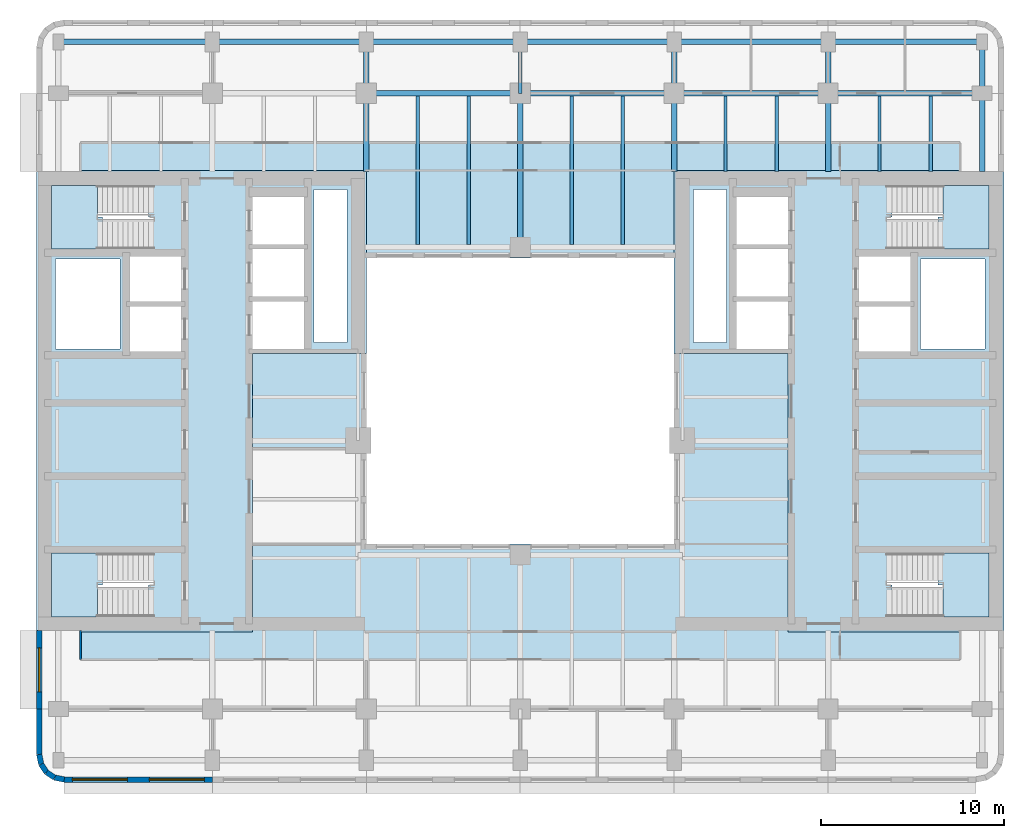
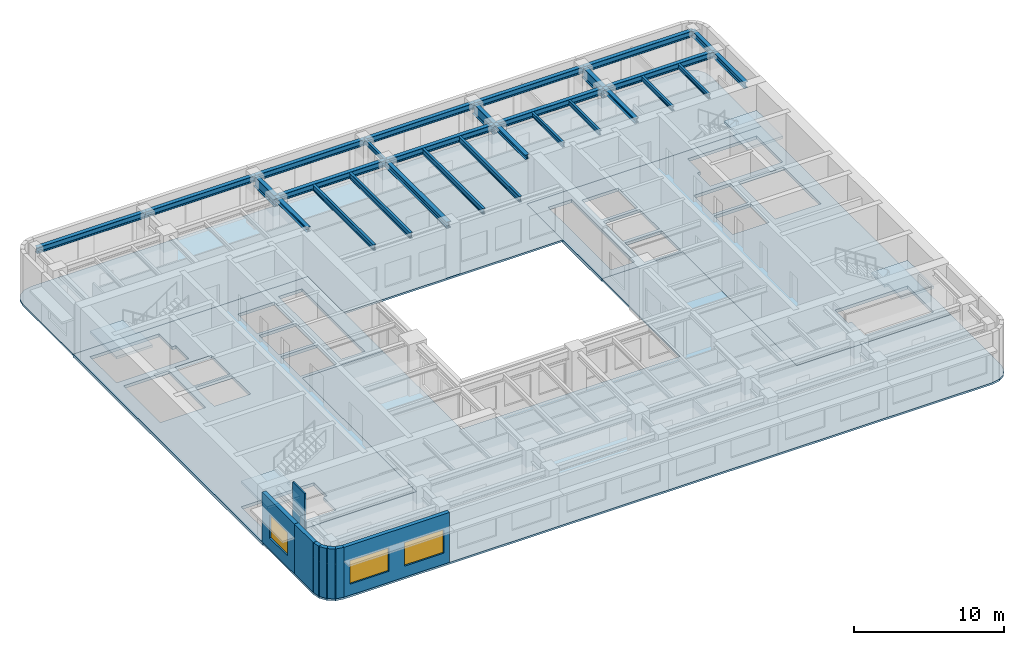
# One storey, part 2 of 11: 28 beams, 8 slabs, 8 walls, 3 windows, 3 openings, 4 elements without a shape of their own.
"""IFC4 building model written with IfcOpenShell, lengths in metres."""

from ifc_helpers import new_model, si_unit, direction, frame, frame_2d, origin, origin_2d, place, context, subcontext, project, spatial, polyline, rectangle, i_section, outline, extrude, material, layer, layer_set, material_profile, profile_set, type_object, element, fill, aggregate, save


model = new_model("IFC4")

# Units and contexts
model_context = context("Model", 3, precision=1e-05, world=origin(), true_north=direction((0.0, 1.0)))
body_context = subcontext(model_context, "Body", "Model", "MODEL_VIEW")
ifc_project = project(units=[si_unit("LENGTHUNIT", "METRE"), si_unit("AREAUNIT", "SQUARE_METRE"), si_unit("VOLUMEUNIT", "CUBIC_METRE"), si_unit("PLANEANGLEUNIT", "RADIAN"), si_unit("MASSUNIT", "GRAM", prefix="KILO")], contexts=[model_context])

# Site, building, storey
site_placement = place(None, origin())
site = spatial("IfcSite", under=ifc_project, at=site_placement, CompositionType="ELEMENT")
building_placement = place(site_placement, origin())
building = spatial("IfcBuilding", under=site, at=building_placement, Name="Claustro Exchange Tower", CompositionType="ELEMENT")
storey_placement = place(building_placement, frame((0.0, 0.0, 236.39990234375)))
storey = spatial("IfcBuildingStorey", under=building, at=storey_placement, Name="L54", CompositionType="ELEMENT", Elevation=236.39990234375)

# Beams
ifc_material_1 = material(Name="Steel S355", Category="steel")
ifc_material_profile_1 = material_profile(ifc_material_1, i_section(OverallWidth=0.169921875, OverallDepth=0.360107421875, WebThickness=0.008056640625, FlangeThickness=0.0126953125, FilletRadius=0.01806640625, at=origin_2d()), Name="IPE 360")
ifc_profile_set_1 = profile_set([ifc_material_profile_1], Name="Steel S355")
beam_type_1 = type_object("IfcBeamType", Name="B16 IPE 360 short-span beam", PredefinedType="BEAM", material=ifc_profile_set_1)
beam_1_placement = place(storey_placement, frame((25.199951171875, 42.0, 3.8701171875), z_axis=(0.0, 1.0, 0.0), x_axis=(-1.0, 0.0, 0.0)))
element("IfcBeam", 1, at=beam_1_placement, inside=storey, type_object=beam_type_1, Name="Beam B16 L55", PredefinedType="BEAM", context=body_context, shape_type="SweptSolid", body=[
    extrude(i_section(OverallWidth=0.169921875, OverallDepth=0.360107421875, WebThickness=0.008056640625, FlangeThickness=0.0126953125, FilletRadius=0.01806640625, at=origin_2d()), origin(), (0.0, 0.0, 1.0), 2.800048828125),
])
for number, where, z_axis, x_axis, name in (
    (2, (36.39990234375, 37.72509765625, 3.8701171875), (0.0, 1.0, 0.0), (-1.0, 0.0, 0.0), "Beam B16 L55"),
    (3, (39.199951171875, 37.72509765625, 3.8701171875), (0.0, 1.0, 0.0), (-1.0, 0.0, 0.0), "Beam B16 L55"),
    (4, (44.800048828125, 37.72509765625, 3.8701171875), (0.0, 1.0, 0.0), (-1.0, 0.0, 0.0), "Beam B16 L55"),
    (5, (47.60009765625, 37.72509765625, 3.8701171875), (0.0, 1.0, 0.0), (-1.0, 0.0, 0.0), "Beam B16 L55"),
):
    element("IfcBeam", number, at=place(storey_placement, frame(where, z_axis=z_axis, x_axis=x_axis)), inside=storey, type_object=beam_type_1, Name=name, PredefinedType="BEAM", context=body_context, shape_type="SweptSolid", body=[
        extrude(i_section(OverallWidth=0.169921875, OverallDepth=0.360107421875, WebThickness=0.008056640625, FlangeThickness=0.0126953125, FilletRadius=0.01806640625, at=origin_2d()), origin(), (0.0, 0.0, 1.0), 4.125),
    ])
ifc_material_2 = material(Name="Steel S355", Category="steel")
ifc_material_profile_2 = material_profile(ifc_material_2, i_section(OverallWidth=0.300048828125, OverallDepth=0.360107421875, WebThickness=0.012451171875, FlangeThickness=0.0224609375, FilletRadius=0.027099609375, at=origin_2d()), Name="HE 360 B")
ifc_profile_set_2 = profile_set([ifc_material_profile_2], Name="Steel S355")
beam_type_2 = type_object("IfcBeamType", Name="B29 HE 360 B column to core link beam", PredefinedType="BEAM", material=ifc_profile_set_2)
for number, where, z_axis, x_axis, name in (
    (6, (16.800048828125, 37.72509765625, 3.8701171875), (0.0, 1.0, 0.0), (-1.0, 0.0, 0.0), "Beam B29 L55"),
    (7, (33.60009765625, 37.72509765625, 3.8701171875), (0.0, 1.0, 0.0), (-1.0, 0.0, 0.0), "Beam B29 L55"),
    (8, (42.0, 37.72509765625, 3.8701171875), (0.0, 1.0, 0.0), (-1.0, 0.0, 0.0), "Beam B29 L55"),
):
    element("IfcBeam", number, at=place(storey_placement, frame(where, z_axis=z_axis, x_axis=x_axis)), inside=storey, type_object=beam_type_2, Name=name, PredefinedType="BEAM", context=body_context, shape_type="SweptSolid", body=[
        extrude(i_section(OverallWidth=0.300048828125, OverallDepth=0.360107421875, WebThickness=0.012451171875, FlangeThickness=0.0224609375, FilletRadius=0.027099609375, at=origin_2d()), origin(), (0.0, 0.0, 1.0), 4.27490234375),
    ])
ifc_material_3 = material(Name="Steel S355", Category="steel")
ifc_material_profile_3 = material_profile(ifc_material_3, i_section(OverallWidth=0.300048828125, OverallDepth=0.5, WebThickness=0.014404296875, FlangeThickness=0.028076171875, FilletRadius=0.027099609375, at=origin_2d()), Name="HE 500 B")
ifc_profile_set_3 = profile_set([ifc_material_profile_3], Name="Steel S355")
beam_type_3 = type_object("IfcBeamType", Name="B7 HE 500 B floor girder", PredefinedType="BEAM", material=ifc_profile_set_3)
for number, where, z_axis, x_axis, name in (
    (9, (25.199951171875, 33.60009765625, 3.800048828125), (0.0, 1.0, 0.0), (-1.0, 0.0, 0.0), "Beam B7 L55"),
    (10, (16.800048828125, 42.0, 3.800048828125), (1.0, 0.0, 0.0), (0.0, 1.0, 0.0), "Beam B7 L55"),
):
    element("IfcBeam", number, at=place(storey_placement, frame(where, z_axis=z_axis, x_axis=x_axis)), inside=storey, type_object=beam_type_3, Name=name, PredefinedType="BEAM", context=body_context, shape_type="SweptSolid", body=[
        extrude(i_section(OverallWidth=0.300048828125, OverallDepth=0.5, WebThickness=0.014404296875, FlangeThickness=0.028076171875, FilletRadius=0.027099609375, at=origin_2d()), origin(), (0.0, 0.0, 1.0), 8.39990234375),
    ])
beam_2_placement = place(storey_placement, frame((25.199951171875, 42.0, 3.800048828125), z_axis=(1.0, 0.0, 0.0), x_axis=(0.0, 1.0, 0.0)))
element("IfcBeam", 11, at=beam_2_placement, inside=storey, type_object=beam_type_3, Name="Beam B7 L55", PredefinedType="BEAM", context=body_context, shape_type="SweptSolid", body=[
    extrude(i_section(OverallWidth=0.300048828125, OverallDepth=0.5, WebThickness=0.014404296875, FlangeThickness=0.028076171875, FilletRadius=0.027099609375, at=origin_2d()), origin(), (0.0, 0.0, 1.0), 8.400146484375),
])
for number, where, z_axis, x_axis, name in (
    (12, (33.60009765625, 42.0, 3.800048828125), (1.0, 0.0, 0.0), (0.0, 1.0, 0.0), "Beam B7 L55"),
    (13, (42.0, 42.0, 3.800048828125), (1.0, 0.0, 0.0), (0.0, 1.0, 0.0), "Beam B7 L55"),
):
    element("IfcBeam", number, at=place(storey_placement, frame(where, z_axis=z_axis, x_axis=x_axis)), inside=storey, type_object=beam_type_3, Name=name, PredefinedType="BEAM", context=body_context, shape_type="SweptSolid", body=[
        extrude(i_section(OverallWidth=0.300048828125, OverallDepth=0.5, WebThickness=0.014404296875, FlangeThickness=0.028076171875, FilletRadius=0.027099609375, at=origin_2d()), origin(), (0.0, 0.0, 1.0), 8.39990234375),
    ])
ifc_material_4 = material(Name="Steel S355", Category="steel")
ifc_material_profile_4 = material_profile(ifc_material_4, i_section(OverallWidth=0.18994140625, OverallDepth=0.449951171875, WebThickness=0.009521484375, FlangeThickness=0.0146484375, FilletRadius=0.02099609375, at=origin_2d()), Name="IPE 450")
ifc_profile_set_4 = profile_set([ifc_material_profile_4], Name="Steel S355")
beam_type_4 = type_object("IfcBeamType", Name="B8 IPE 450 secondary beam", PredefinedType="BEAM", material=ifc_profile_set_4)
for number, where, z_axis, x_axis, name in (
    (14, (19.60009765625, 33.75, 3.8251953125), (0.0, 1.0, 0.0), (-1.0, 0.0, 0.0), "Beam B8 L55"),
    (15, (22.39990234375, 33.75, 3.8251953125), (0.0, 1.0, 0.0), (-1.0, 0.0, 0.0), "Beam B8 L55"),
    (16, (28.0, 33.75, 3.8251953125), (0.0, 1.0, 0.0), (-1.0, 0.0, 0.0), "Beam B8 L55"),
    (17, (30.800048828125, 33.75, 3.8251953125), (0.0, 1.0, 0.0), (-1.0, 0.0, 0.0), "Beam B8 L55"),
):
    element("IfcBeam", number, at=place(storey_placement, frame(where, z_axis=z_axis, x_axis=x_axis)), inside=storey, type_object=beam_type_4, Name=name, PredefinedType="BEAM", context=body_context, shape_type="SweptSolid", body=[
        extrude(i_section(OverallWidth=0.18994140625, OverallDepth=0.449951171875, WebThickness=0.009521484375, FlangeThickness=0.0146484375, FilletRadius=0.02099609375, at=origin_2d()), origin(), (0.0, 0.0, 1.0), 8.10009765625),
    ])
ifc_material_5 = material(Name="Steel S355", Category="steel")
ifc_material_profile_5 = material_profile(ifc_material_5, i_section(OverallWidth=0.300048828125, OverallDepth=0.489990234375, WebThickness=0.011962890625, FlangeThickness=0.02294921875, FilletRadius=0.027099609375, at=origin_2d()), Name="HE 500 A")
ifc_profile_set_5 = profile_set([ifc_material_profile_5], Name="Steel S355")
beam_type_5 = type_object("IfcBeamType", Name="B9 HE 500 A spandrel edge girder", PredefinedType="SPANDREL", material=ifc_profile_set_5)
beam_3_placement = place(storey_placement, frame((50.39990234375, 37.72509765625, 3.80517578125), z_axis=(0.0, 1.0, 0.0), x_axis=(-1.0, 0.0, 0.0)))
element("IfcBeam", 18, at=beam_3_placement, inside=storey, type_object=beam_type_5, Name="Beam B9 L55", PredefinedType="SPANDREL", context=body_context, shape_type="SweptSolid", body=[
    extrude(i_section(OverallWidth=0.300048828125, OverallDepth=0.489990234375, WebThickness=0.011962890625, FlangeThickness=0.02294921875, FilletRadius=0.027099609375, at=origin_2d()), origin(), (0.0, 0.0, 1.0), 4.27490234375),
])
beam_4_placement = place(storey_placement, frame((50.39990234375, 42.0, 3.80517578125), z_axis=(0.0, 1.0, 0.0), x_axis=(-1.0, 0.0, 0.0)))
element("IfcBeam", 19, at=beam_4_placement, inside=storey, type_object=beam_type_5, Name="Beam B9 L55", PredefinedType="SPANDREL", context=body_context, shape_type="SweptSolid", body=[
    extrude(i_section(OverallWidth=0.300048828125, OverallDepth=0.489990234375, WebThickness=0.011962890625, FlangeThickness=0.02294921875, FilletRadius=0.027099609375, at=origin_2d()), origin(), (0.0, 0.0, 1.0), 2.800048828125),
])
beam_5_placement = place(storey_placement, frame((0.0, 44.800048828125, 3.80517578125), z_axis=(1.0, 0.0, 0.0), x_axis=(0.0, 1.0, 0.0)))
element("IfcBeam", 20, at=beam_5_placement, inside=storey, type_object=beam_type_5, Name="Beam B9 L55", PredefinedType="SPANDREL", context=body_context, shape_type="SweptSolid", body=[
    extrude(i_section(OverallWidth=0.300048828125, OverallDepth=0.489990234375, WebThickness=0.011962890625, FlangeThickness=0.02294921875, FilletRadius=0.027099609375, at=origin_2d()), origin(), (0.0, 0.0, 1.0), 8.39990234375),
])
beam_6_placement = place(storey_placement, frame((8.39990234375, 44.800048828125, 3.80517578125), z_axis=(1.0, 0.0, 0.0), x_axis=(0.0, 1.0, 0.0)))
element("IfcBeam", 21, at=beam_6_placement, inside=storey, type_object=beam_type_5, Name="Beam B9 L55", PredefinedType="SPANDREL", context=body_context, shape_type="SweptSolid", body=[
    extrude(i_section(OverallWidth=0.300048828125, OverallDepth=0.489990234375, WebThickness=0.011962890625, FlangeThickness=0.02294921875, FilletRadius=0.027099609375, at=origin_2d()), origin(), (0.0, 0.0, 1.0), 8.400146484375),
])
beam_7_placement = place(storey_placement, frame((16.800048828125, 44.800048828125, 3.80517578125), z_axis=(1.0, 0.0, 0.0), x_axis=(0.0, 1.0, 0.0)))
element("IfcBeam", 22, at=beam_7_placement, inside=storey, type_object=beam_type_5, Name="Beam B9 L55", PredefinedType="SPANDREL", context=body_context, shape_type="SweptSolid", body=[
    extrude(i_section(OverallWidth=0.300048828125, OverallDepth=0.489990234375, WebThickness=0.011962890625, FlangeThickness=0.02294921875, FilletRadius=0.027099609375, at=origin_2d()), origin(), (0.0, 0.0, 1.0), 8.39990234375),
])
beam_8_placement = place(storey_placement, frame((25.199951171875, 44.800048828125, 3.80517578125), z_axis=(1.0, 0.0, 0.0), x_axis=(0.0, 1.0, 0.0)))
element("IfcBeam", 23, at=beam_8_placement, inside=storey, type_object=beam_type_5, Name="Beam B9 L55", PredefinedType="SPANDREL", context=body_context, shape_type="SweptSolid", body=[
    extrude(i_section(OverallWidth=0.300048828125, OverallDepth=0.489990234375, WebThickness=0.011962890625, FlangeThickness=0.02294921875, FilletRadius=0.027099609375, at=origin_2d()), origin(), (0.0, 0.0, 1.0), 8.400146484375),
])
for number, where, z_axis, x_axis, name in (
    (24, (33.60009765625, 44.800048828125, 3.80517578125), (1.0, 0.0, 0.0), (0.0, 1.0, 0.0), "Beam B9 L55"),
    (25, (42.0, 44.800048828125, 3.80517578125), (1.0, 0.0, 0.0), (0.0, 1.0, 0.0), "Beam B9 L55"),
):
    element("IfcBeam", number, at=place(storey_placement, frame(where, z_axis=z_axis, x_axis=x_axis)), inside=storey, type_object=beam_type_5, Name=name, PredefinedType="SPANDREL", context=body_context, shape_type="SweptSolid", body=[
        extrude(i_section(OverallWidth=0.300048828125, OverallDepth=0.489990234375, WebThickness=0.011962890625, FlangeThickness=0.02294921875, FilletRadius=0.027099609375, at=origin_2d()), origin(), (0.0, 0.0, 1.0), 8.39990234375),
    ])
ifc_material_6 = material(Name="Steel S355", Category="steel")
ifc_material_profile_6 = material_profile(ifc_material_6, i_section(OverallWidth=0.300048828125, OverallDepth=0.89990234375, WebThickness=0.0185546875, FlangeThickness=0.034912109375, FilletRadius=0.030029296875, at=origin_2d()), Name="HE 900 B")
ifc_profile_set_6 = profile_set([ifc_material_profile_6], Name="Steel S355")
beam_type_6 = type_object("IfcBeamType", Name="OT8 HE 900 B OUTRIGGER extension chord", PredefinedType="BEAM", material=ifc_profile_set_6)
for number, where, z_axis, x_axis, name in (
    (26, (16.800048828125, 42.0, 3.60009765625), (0.0, 1.0, 0.0), (-1.0, 0.0, 0.0), "Beam OT8 L55"),
    (27, (33.60009765625, 42.0, 3.60009765625), (0.0, 1.0, 0.0), (-1.0, 0.0, 0.0), "Beam OT8 L55"),
    (28, (42.0, 42.0, 3.60009765625), (0.0, 1.0, 0.0), (-1.0, 0.0, 0.0), "Beam OT8 L55"),
):
    element("IfcBeam", number, at=place(storey_placement, frame(where, z_axis=z_axis, x_axis=x_axis)), inside=storey, type_object=beam_type_6, Name=name, PredefinedType="BEAM", context=body_context, shape_type="SweptSolid", body=[
        extrude(i_section(OverallWidth=0.300048828125, OverallDepth=0.89990234375, WebThickness=0.0185546875, FlangeThickness=0.034912109375, FilletRadius=0.030029296875, at=origin_2d()), origin(), (0.0, 0.0, 1.0), 2.800048828125),
    ])

# Slabs
ifc_material_7 = material(Name="Concrete HA-50 (C50/60)", Category="concrete")
ifc_layer_1 = layer(ifc_material_7, 0.14990234375)
ifc_layer_set_1 = layer_set([ifc_layer_1], Name="Concrete HA-50 (C50/60)")
slab_type_1 = type_object("IfcSlabType", Name="S2 150 composite floor slab", PredefinedType="FLOOR", material=ifc_layer_set_1)
slab_1_placement = place(storey_placement, frame((0.0, 0.0, -0.14990234375)))
element("IfcSlab", 29, at=slab_1_placement, inside=storey, type_object=slab_type_1, Name="Floor slab S2 S L54", PredefinedType="FLOOR", context=body_context, shape_type="SweptSolid", body=[
    extrude(outline(polyline([(-0.27392578125, 4.51416015625), (0.300048828125, 4.39990234375), (50.10009765625, 4.39990234375), (50.674072265625, 4.51416015625), (51.16064453125, 4.83935546875), (51.48583984375, 5.325927734375), (51.60009765625, 5.89990234375), (51.60009765625, 12.60009765625), (39.800048828125, 12.60009765625), (39.800048828125, 27.800048828125), (33.60009765625, 27.800048828125), (33.60009765625, 17.39990234375), (16.800048828125, 17.39990234375), (16.800048828125, 27.800048828125), (10.60009765625, 27.800048828125), (10.60009765625, 12.60009765625), (-1.199951171875, 12.60009765625), (-1.199951171875, 5.89990234375), (-1.085693359375, 5.325927734375), (-0.7607421875, 4.83935546875), (-0.27392578125, 4.51416015625)])), origin(), (0.0, 0.0, 1.0), 0.14990234375),
])
slab_2_placement = place(storey_placement, frame((0.0, 0.0, -0.14990234375)))
element("IfcSlab", 30, at=slab_2_placement, inside=storey, type_object=slab_type_1, Name="Floor slab S2 N L54", PredefinedType="FLOOR", context=body_context, shape_type="SweptSolid", body=[
    extrude(outline(polyline([(16.800048828125, 37.800048828125), (16.800048828125, 33.0), (33.60009765625, 33.0), (33.60009765625, 37.800048828125), (51.60009765625, 37.800048828125), (51.60009765625, 44.5), (51.48583984375, 45.073974609375), (51.16064453125, 45.560791015625), (50.674072265625, 45.8857421875), (50.10009765625, 46.0), (0.300048828125, 46.0), (-0.27392578125, 45.8857421875), (-0.7607421875, 45.560791015625), (-1.085693359375, 45.073974609375), (-1.199951171875, 44.5), (-1.199951171875, 37.800048828125), (16.800048828125, 37.800048828125)])), origin(), (0.0, 0.0, 1.0), 0.14990234375),
])
ifc_material_8 = material(Name="Concrete HA-50 (C50/60)", Category="concrete")
ifc_layer_2 = layer(ifc_material_8, 0.25)
ifc_layer_set_2 = layer_set([ifc_layer_2], Name="Concrete HA-50 (C50/60)")
slab_type_2 = type_object("IfcSlabType", Name="S7 250 core floor slab", PredefinedType="FLOOR", material=ifc_layer_set_2)
slab_3_placement = place(storey_placement, frame((0.0, 0.0, -0.25)))
element("IfcSlab", 31, at=slab_3_placement, inside=storey, type_object=slab_type_2, Name="Core floor slab S7 W core L54", PredefinedType="FLOOR", context=body_context, shape_type="SweptSolid", body=[
    extrude(outline(polyline([(-1.199951171875, 37.800048828125), (-1.199951171875, 12.60009765625), (10.60009765625, 12.60009765625), (10.60009765625, 27.800048828125), (16.800048828125, 27.800048828125), (16.800048828125, 37.800048828125), (-1.199951171875, 37.800048828125)]), holes=[polyline([(13.949951171875, 36.75), (15.75, 36.75), (15.75, 28.39990234375), (13.949951171875, 28.39990234375), (13.949951171875, 36.75)]), polyline([(10.60009765625, 30.64990234375), (13.39990234375, 30.64990234375), (13.39990234375, 28.050048828125), (10.60009765625, 28.050048828125), (10.60009765625, 30.64990234375)]), polyline([(10.60009765625, 33.5), (13.39990234375, 33.5), (13.39990234375, 30.89990234375), (10.60009765625, 30.89990234375), (10.60009765625, 33.5)]), polyline([(13.39990234375, 36.35009765625), (13.39990234375, 33.75), (10.60009765625, 33.75), (10.60009765625, 36.35009765625), (13.39990234375, 36.35009765625)]), polyline([(3.89990234375, 30.375), (6.699951171875, 30.375), (6.699951171875, 27.89990234375), (3.89990234375, 27.89990234375), (3.89990234375, 30.375)]), polyline([(3.89990234375, 33.10009765625), (6.699951171875, 33.10009765625), (6.699951171875, 30.625), (3.89990234375, 30.625), (3.89990234375, 33.10009765625)]), polyline([(-0.375, 15.16259765625), (-0.375, 16.89990234375), (5.195068359375, 16.89990234375), (5.195068359375, 15.16259765625), (4.919921875, 15.16259765625), (4.919921875, 13.425048828125), (-0.375, 13.425048828125), (-0.375, 15.16259765625)]), polyline([(-0.375, 35.237548828125), (-0.375, 36.97509765625), (4.919921875, 36.97509765625), (4.919921875, 35.237548828125), (5.195068359375, 35.237548828125), (5.195068359375, 33.5), (-0.375, 33.5), (-0.375, 35.237548828125)]), polyline([(-0.14990234375, 32.949951171875), (3.35009765625, 32.949951171875), (3.35009765625, 28.050048828125), (-0.14990234375, 28.050048828125), (-0.14990234375, 32.949951171875)])]), origin(), (0.0, 0.0, 1.0), 0.25),
])
slab_4_placement = place(storey_placement, frame((0.0, 0.0, -0.25)))
element("IfcSlab", 32, at=slab_4_placement, inside=storey, type_object=slab_type_2, Name="Core floor slab S7 E core L54", PredefinedType="FLOOR", context=body_context, shape_type="SweptSolid", body=[
    extrude(outline(polyline([(51.60009765625, 37.800048828125), (33.60009765625, 37.800048828125), (33.60009765625, 27.800048828125), (39.800048828125, 27.800048828125), (39.800048828125, 12.60009765625), (51.60009765625, 12.60009765625), (51.60009765625, 37.800048828125)]), holes=[polyline([(45.47998046875, 15.16259765625), (45.205078125, 15.16259765625), (45.205078125, 16.89990234375), (50.77490234375, 16.89990234375), (50.77490234375, 15.16259765625), (50.77490234375, 13.425048828125), (45.47998046875, 13.425048828125), (45.47998046875, 15.16259765625)]), polyline([(45.47998046875, 35.237548828125), (45.47998046875, 36.97509765625), (50.77490234375, 36.97509765625), (50.77490234375, 35.237548828125), (50.77490234375, 33.5), (45.205078125, 33.5), (45.205078125, 35.237548828125), (45.47998046875, 35.237548828125)]), polyline([(47.050048828125, 32.949951171875), (50.550048828125, 32.949951171875), (50.550048828125, 28.050048828125), (47.050048828125, 28.050048828125), (47.050048828125, 32.949951171875)]), polyline([(43.699951171875, 30.375), (46.5, 30.375), (46.5, 27.89990234375), (43.699951171875, 27.89990234375), (43.699951171875, 30.375)]), polyline([(43.699951171875, 33.10009765625), (46.5, 33.10009765625), (46.5, 30.625), (43.699951171875, 30.625), (43.699951171875, 33.10009765625)]), polyline([(37.0, 30.64990234375), (39.800048828125, 30.64990234375), (39.800048828125, 28.050048828125), (37.0, 28.050048828125), (37.0, 30.64990234375)]), polyline([(37.0, 33.5), (39.800048828125, 33.5), (39.800048828125, 30.89990234375), (37.0, 30.89990234375), (37.0, 33.5)]), polyline([(39.800048828125, 36.35009765625), (39.800048828125, 33.75), (37.0, 33.75), (37.0, 36.35009765625), (39.800048828125, 36.35009765625)]), polyline([(34.64990234375, 36.75), (36.449951171875, 36.75), (36.449951171875, 28.39990234375), (34.64990234375, 28.39990234375), (34.64990234375, 36.75)])]), origin(), (0.0, 0.0, 1.0), 0.25),
])

# Stair, slab
ifc_material_9 = material(Name="Concrete HA-30 (C30/37), precast", Category="concrete")
stair_type = type_object("IfcStairType", Name="ST1 half-turn stair, 24 risers of 175", PredefinedType="HALF_TURN_STAIR", material=ifc_material_9)
stair_1_placement = place(storey_placement, origin())
stair_1 = element("IfcStair", 33, at=stair_1_placement, inside=storey, type_object=stair_type, Name="Stair STWA L54", PredefinedType="HALF_TURN_STAIR")
ifc_material_10 = material(Name="Concrete HA-30 (C30/37), precast", Category="concrete")
ifc_layer_3 = layer(ifc_material_10, 0.199951171875)
ifc_layer_set_3 = layer_set([ifc_layer_3], Name="Concrete HA-30 (C30/37), precast")
slab_type_3 = type_object("IfcSlabType", Name="S9 200 stair landing", PredefinedType="LANDING", material=ifc_layer_set_3)
slab_5_placement = place(storey_placement, frame((0.0, 0.0, 1.900146484375)))
slab_5 = element("IfcSlab", 34, at=slab_5_placement, type_object=slab_type_3, Name="STWA landing 1", PredefinedType="LANDING", context=body_context, shape_type="SweptSolid", body=[
    extrude(outline(polyline([(2.125, 13.425048828125), (-0.375, 13.425048828125), (-0.375, 16.89990234375), (2.1201171875, 16.89990234375), (2.125, 16.89990234375), (2.39990234375, 16.89990234375), (2.39990234375, 15.16259765625), (2.125, 15.16259765625), (2.125, 13.425048828125)])), origin(), (0.0, 0.0, 1.0), 0.199951171875),
])
aggregate(stair_1, [slab_5])

stair_2_placement = place(storey_placement, origin())
stair_2 = element("IfcStair", 35, at=stair_2_placement, inside=storey, type_object=stair_type, Name="Stair STWB L54", PredefinedType="HALF_TURN_STAIR")
slab_6_placement = place(storey_placement, frame((0.0, 0.0, 1.900146484375)))
slab_6 = element("IfcSlab", 36, at=slab_6_placement, type_object=slab_type_3, Name="STWB landing 1", PredefinedType="LANDING", context=body_context, shape_type="SweptSolid", body=[
    extrude(outline(polyline([(2.39990234375, 35.237548828125), (2.39990234375, 33.5), (2.125, 33.5), (2.1201171875, 33.5), (-0.375, 33.5), (-0.375, 36.97509765625), (2.125, 36.97509765625), (2.125, 35.237548828125), (2.39990234375, 35.237548828125)])), origin(), (0.0, 0.0, 1.0), 0.199951171875),
])
aggregate(stair_2, [slab_6])

stair_3_placement = place(storey_placement, origin())
stair_3 = element("IfcStair", 37, at=stair_3_placement, inside=storey, type_object=stair_type, Name="Stair STEA L54", PredefinedType="HALF_TURN_STAIR")
slab_7_placement = place(storey_placement, frame((0.0, 0.0, 1.900146484375)))
slab_7 = element("IfcSlab", 38, at=slab_7_placement, type_object=slab_type_3, Name="STEA landing 1", PredefinedType="LANDING", context=body_context, shape_type="SweptSolid", body=[
    extrude(outline(polyline([(50.77490234375, 16.89990234375), (50.77490234375, 13.425048828125), (48.27490234375, 13.425048828125), (48.27490234375, 15.16259765625), (48.0, 15.16259765625), (48.0, 16.89990234375), (48.27490234375, 16.89990234375), (48.280029296875, 16.89990234375), (50.77490234375, 16.89990234375)])), origin(), (0.0, 0.0, 1.0), 0.199951171875),
])
aggregate(stair_3, [slab_7])

stair_4_placement = place(storey_placement, origin())
stair_4 = element("IfcStair", 39, at=stair_4_placement, inside=storey, type_object=stair_type, Name="Stair STEB L54", PredefinedType="HALF_TURN_STAIR")
slab_8_placement = place(storey_placement, frame((0.0, 0.0, 1.900146484375)))
slab_8 = element("IfcSlab", 40, at=slab_8_placement, type_object=slab_type_3, Name="STEB landing 1", PredefinedType="LANDING", context=body_context, shape_type="SweptSolid", body=[
    extrude(outline(polyline([(48.0, 33.5), (48.0, 35.237548828125), (48.27490234375, 35.237548828125), (48.27490234375, 36.97509765625), (50.77490234375, 36.97509765625), (50.77490234375, 33.5), (48.280029296875, 33.5), (48.27490234375, 33.5), (48.0, 33.5)])), origin(), (0.0, 0.0, 1.0), 0.199951171875),
])
aggregate(stair_4, [slab_8])

# Wall
ifc_material_11 = material(Name="Laminated glass in aluminium frame", Category="aluminium")
ifc_layer_4 = layer(ifc_material_11, 0.1201171875)
ifc_layer_set_4 = layer_set([ifc_layer_4], Name="Laminated glass in aluminium frame")
wall_type_1 = type_object("IfcWallType", Name="P2 120 glazed partition", PredefinedType="PARTITIONING", material=ifc_layer_set_4)
wall_1_placement = place(storey_placement, frame((1.199951171875, 11.10009765625, 0.0), z_axis=(0.0, 0.0, 1.0), x_axis=(0.0, 1.0, 0.0)))
element("IfcWall", 41, at=wall_1_placement, inside=storey, type_object=wall_type_1, Name="Partition P2 L54", PredefinedType="PARTITIONING", context=body_context, shape_type="SweptSolid", body=[
    extrude(rectangle(XDim=1.575927734375, YDim=0.1201171875, at=frame_2d((0.7880859375, 0.0))), origin(), (0.0, 0.0, 1.0), 4.050048828125),
])

# Wall, openings, windows
ifc_material_12 = material(Name="Concrete HA-40 (C40/50), precast, white cement, acid-etched", Category="concrete")
ifc_layer_5 = layer(ifc_material_12, 0.300048828125)
ifc_layer_set_5 = layer_set([ifc_layer_5], Name="Concrete HA-40 (C40/50), precast, white cement, acid-etched")
wall_type_2 = type_object("IfcWallType", Name="PC1 300 precast concrete pier panel", PredefinedType="SOLIDWALL", material=ifc_layer_set_5)
wall_2_placement = place(storey_placement, frame((8.39990234375, 4.550048828125, 0.0), z_axis=(0.0, 0.0, 1.0), x_axis=(-1.0, 0.0, 0.0)))
wall_2 = element("IfcWall", 42, at=wall_2_placement, inside=storey, type_object=wall_type_2, Name="Precast pier panel PC1 L54", PredefinedType="SOLIDWALL", context=body_context, shape_type="SweptSolid", body=[
    extrude(rectangle(XDim=8.085205078125, YDim=0.300048828125, at=frame_2d((4.04248046875, 0.0))), origin(), (0.0, 0.0, 1.0), 4.050048828125),
])
opening_1_placement = place(wall_2_placement, frame((0.442626953125, 0.0, 0.89990234375)))
opening_1 = element("IfcOpeningElement", 43, at=opening_1_placement, cuts=wall_2, Name="Opening W1", PredefinedType="OPENING", context=body_context, shape_type="SweptSolid", body=[
    extrude(rectangle(XDim=3.0, YDim=1.89990234375, at=frame_2d((1.5, 0.949951171875))), frame((0.0, 0.159912109375, 0.0), z_axis=(0.0, -1.0, 0.0), x_axis=(1.0, 0.0, 0.0)), (0.0, 0.0, 1.0), 0.320068359375),
])
opening_2_placement = place(wall_2_placement, frame((4.642578125, 0.0, 0.89990234375)))
opening_2 = element("IfcOpeningElement", 44, at=opening_2_placement, cuts=wall_2, Name="Opening W1", PredefinedType="OPENING", context=body_context, shape_type="SweptSolid", body=[
    extrude(rectangle(XDim=3.0, YDim=1.89990234375, at=frame_2d((1.5, 0.949951171875))), frame((0.0, 0.159912109375, 0.0), z_axis=(0.0, -1.0, 0.0), x_axis=(1.0, 0.0, 0.0)), (0.0, 0.0, 1.0), 0.320068359375),
])
ifc_material_13 = material(Name="Aluminium frame, clear double glazing", Category="aluminium")
window_type_1 = type_object("IfcWindowType", Name="W1 3000 x 1900 window", PartitioningType="SINGLE_PANEL", PredefinedType="WINDOW", material=ifc_material_13)
window_1_placement = place(opening_1_placement, origin())
window_1 = element("IfcWindow", 45, at=window_1_placement, inside=storey, type_object=window_type_1, Name="Window W1 L54", OverallHeight=1.89990234375, OverallWidth=3.0, PartitioningType="SINGLE_PANEL", PredefinedType="WINDOW", context=body_context, shape_type="SweptSolid", body=[
    extrude(rectangle(XDim=3.0, YDim=1.89990234375, at=frame_2d((1.5, 0.949951171875))), frame((0.0, 0.030029296875, 0.0), z_axis=(0.0, -1.0, 0.0), x_axis=(1.0, 0.0, 0.0)), (0.0, 0.0, 1.0), 0.06005859375),
])
fill(opening_1, window_1)
window_2_placement = place(opening_2_placement, origin())
window_2 = element("IfcWindow", 46, at=window_2_placement, inside=storey, type_object=window_type_1, Name="Window W1 L54", OverallHeight=1.89990234375, OverallWidth=3.0, PartitioningType="SINGLE_PANEL", PredefinedType="WINDOW", context=body_context, shape_type="SweptSolid", body=[
    extrude(rectangle(XDim=3.0, YDim=1.89990234375, at=frame_2d((1.5, 0.949951171875))), frame((0.0, 0.030029296875, 0.0), z_axis=(0.0, -1.0, 0.0), x_axis=(1.0, 0.0, 0.0)), (0.0, 0.0, 1.0), 0.06005859375),
])
fill(opening_2, window_2)

# Walls
wall_3_placement = place(storey_placement, frame((0.314697265625, 4.550048828125, 0.0), z_axis=(0.0, 0.0, 1.0), x_axis=(-0.980788534345, 0.195073962632, 0.0)))
element("IfcWall", 47, at=wall_3_placement, inside=storey, type_object=wall_type_2, Name="Precast pier panel PC1 L54", PredefinedType="SOLIDWALL", context=body_context, shape_type="SweptSolid", body=[
    extrude(rectangle(XDim=0.540771484375, YDim=0.300048828125, at=frame_2d((0.2705078125, 0.0))), origin(), (0.0, 0.0, 1.0), 4.050048828125),
])
for number, where, z_axis, x_axis, name in (
    (48, (-0.215576171875, 4.655517578125, 0.0), (0.0, 0.0, 1.0), (-0.831478144188, 0.555557463938, 0.0), "Precast pier panel PC1 L54"),
    (49, (-0.652587890625, 4.947509765625, 0.0), (0.0, 0.0, 1.0), (-0.555557463938, 0.831478144188, 0.0), "Precast pier panel PC1 L54"),
):
    element("IfcWall", number, at=place(storey_placement, frame(where, z_axis=z_axis, x_axis=x_axis)), inside=storey, type_object=wall_type_2, Name=name, PredefinedType="SOLIDWALL", context=body_context, shape_type="SweptSolid", body=[
        extrude(rectangle(XDim=0.525634765625, YDim=0.300048828125, at=frame_2d((0.2626953125, 0.0))), origin(), (0.0, 0.0, 1.0), 4.050048828125),
    ])
wall_4_placement = place(storey_placement, frame((-0.944580078125, 5.384521484375, 0.0), z_axis=(0.0, 0.0, 1.0), x_axis=(-0.195073962632, 0.980788534345, 0.0)))
element("IfcWall", 50, at=wall_4_placement, inside=storey, type_object=wall_type_2, Name="Precast pier panel PC1 L54", PredefinedType="SOLIDWALL", context=body_context, shape_type="SweptSolid", body=[
    extrude(rectangle(XDim=0.540771484375, YDim=0.300048828125, at=frame_2d((0.2705078125, 0.0))), origin(), (0.0, 0.0, 1.0), 4.050048828125),
])
wall_5_placement = place(storey_placement, frame((-1.050048828125, 5.914794921875, 0.0), z_axis=(0.0, 0.0, 1.0), x_axis=(0.0, 1.0, 0.0)))
element("IfcWall", 51, at=wall_5_placement, inside=storey, type_object=wall_type_2, Name="Precast pier panel PC1 L54", PredefinedType="SOLIDWALL", context=body_context, shape_type="SweptSolid", body=[
    extrude(rectangle(XDim=2.485107421875, YDim=0.300048828125, at=frame_2d((1.24267578125, 0.0))), origin(), (0.0, 0.0, 1.0), 4.050048828125),
])

# Wall, opening, window
wall_6_placement = place(storey_placement, frame((-1.050048828125, 8.39990234375, 0.0), z_axis=(0.0, 0.0, 1.0), x_axis=(0.0, 1.0, 0.0)))
wall_6 = element("IfcWall", 52, at=wall_6_placement, inside=storey, type_object=wall_type_2, Name="Precast pier panel PC1 L54", PredefinedType="SOLIDWALL", context=body_context, shape_type="SweptSolid", body=[
    extrude(rectangle(XDim=4.275146484375, YDim=0.300048828125, at=frame_2d((2.1376953125, 0.0))), origin(), (0.0, 0.0, 1.0), 4.050048828125),
])
opening_3_placement = place(wall_6_placement, frame((0.9375, 0.0, 0.89990234375)))
opening_3 = element("IfcOpeningElement", 53, at=opening_3_placement, cuts=wall_6, Name="Opening W2", PredefinedType="OPENING", context=body_context, shape_type="SweptSolid", body=[
    extrude(rectangle(XDim=2.39990234375, YDim=1.89990234375, at=frame_2d((1.199951171875, 0.949951171875))), frame((0.0, 0.159912109375, 0.0), z_axis=(0.0, -1.0, 0.0), x_axis=(1.0, 0.0, 0.0)), (0.0, 0.0, 1.0), 0.320068359375),
])
ifc_material_14 = material(Name="Aluminium frame, clear double glazing", Category="aluminium")
window_type_2 = type_object("IfcWindowType", Name="W2 2400 x 1900 window", PartitioningType="SINGLE_PANEL", PredefinedType="WINDOW", material=ifc_material_14)
window_3_placement = place(opening_3_placement, origin())
window_3 = element("IfcWindow", 54, at=window_3_placement, inside=storey, type_object=window_type_2, Name="Window W2 L54", OverallHeight=1.89990234375, OverallWidth=2.39990234375, PartitioningType="SINGLE_PANEL", PredefinedType="WINDOW", context=body_context, shape_type="SweptSolid", body=[
    extrude(rectangle(XDim=2.39990234375, YDim=1.89990234375, at=frame_2d((1.199951171875, 0.949951171875))), frame((0.0, 0.030029296875, 0.0), z_axis=(0.0, -1.0, 0.0), x_axis=(1.0, 0.0, 0.0)), (0.0, 0.0, 1.0), 0.06005859375),
])
fill(opening_3, window_3)

save(model, "model.ifc")
